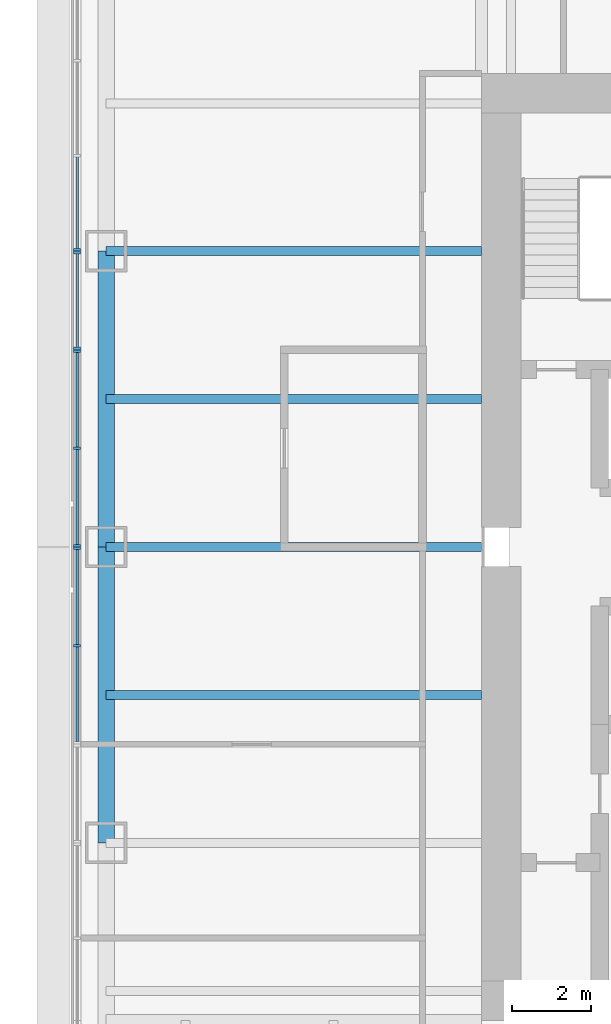
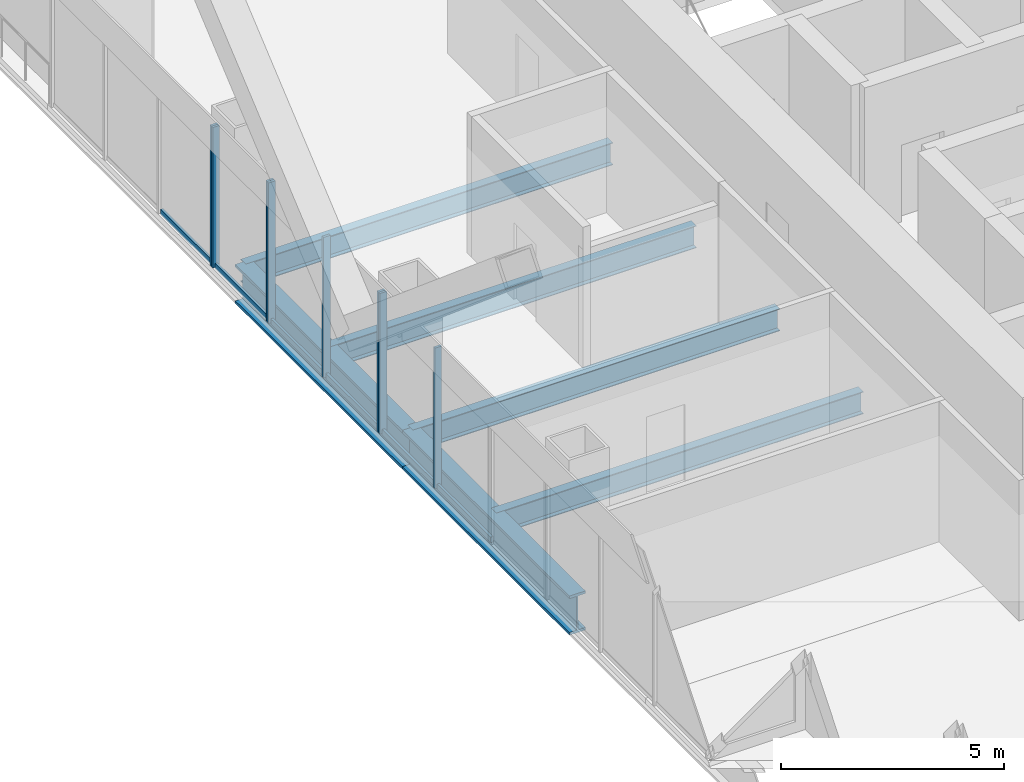
# One storey, part 5 of 19: 14 members, 6 beams, 4 elements without a shape of their own.
"""IFC4 building model written with IfcOpenShell, lengths in metres."""

from ifc_helpers import new_model, si_unit, direction, frame, origin, origin_2d, place, context, subcontext, project, spatial, rectangle, i_section, extrude, material, material_profile, profile_set, type_object, element, aggregate, save


model = new_model("IFC4")

# Units and contexts
model_context = context("Model", 3, precision=1e-05, world=origin(), true_north=direction((0.0, 1.0)))
body_context = subcontext(model_context, "Body", "Model", "MODEL_VIEW")
ifc_project = project(units=[si_unit("LENGTHUNIT", "METRE"), si_unit("AREAUNIT", "SQUARE_METRE"), si_unit("VOLUMEUNIT", "CUBIC_METRE"), si_unit("PLANEANGLEUNIT", "RADIAN"), si_unit("MASSUNIT", "GRAM", prefix="KILO")], contexts=[model_context])

# Site, building, storey
site_placement = place(None, origin())
site = spatial("IfcSite", under=ifc_project, at=site_placement, CompositionType="ELEMENT")
building_placement = place(site_placement, origin())
building = spatial("IfcBuilding", under=site, at=building_placement, Name="Tarangal Relay Tower", CompositionType="ELEMENT")
storey_placement = place(building_placement, frame((0.0, 0.0, 193.89990234375)))
storey = spatial("IfcBuildingStorey", under=building, at=storey_placement, Name="L40", CompositionType="ELEMENT", Elevation=193.89990234375)

# Beams
ifc_material_1 = material(Name="Steel ASTM A992", Category="steel")
ifc_material_profile_1 = material_profile(ifc_material_1, i_section(OverallWidth=0.41650390625, OverallDepth=1.0693359375, WebThickness=0.0390625, FlangeThickness=0.070068359375, at=origin_2d()), Name="W40X503")
ifc_profile_set_1 = profile_set([ifc_material_profile_1], Name="Steel ASTM A992")
beam_type_1 = type_object("IfcBeamType", Name="Edge girder W40X503", PredefinedType="SPANDREL", material=ifc_profile_set_1)
for number, where, z_axis, x_axis, name in (
    (1, (-21.514892578125, -7.5, -0.6845703125), (0.0, 1.0, 0.0), (-1.0, 0.0, 0.0), "Edge girder EG8 W L40"),
    (2, (-21.514892578125, 0.0, -0.6845703125), (0.0, 1.0, 0.0), (-1.0, 0.0, 0.0), "Edge girder EG8 W L40"),
):
    element("IfcBeam", number, at=place(storey_placement, frame(where, z_axis=z_axis, x_axis=x_axis)), inside=storey, type_object=beam_type_1, Name=name, PredefinedType="SPANDREL", context=body_context, shape_type="SweptSolid", body=[
        extrude(i_section(OverallWidth=0.41650390625, OverallDepth=1.0693359375, WebThickness=0.0390625, FlangeThickness=0.070068359375, at=origin_2d()), origin(), (0.0, 0.0, 1.0), 7.5),
    ])
ifc_material_profile_2 = material_profile(ifc_material_1, i_section(OverallWidth=0.22900390625, OverallDepth=0.612060546875, WebThickness=0.011962890625, FlangeThickness=0.01953125, at=origin_2d()), Name="W24X84")
ifc_profile_set_2 = profile_set([ifc_material_profile_2], Name="Steel ASTM A992")
beam_type_2 = type_object("IfcBeamType", Name="Floor beam W24X84", PredefinedType="BEAM", material=ifc_profile_set_2)
for number, where, z_axis, x_axis, name in (
    (3, (-12.0, -3.75, -0.455810546875), (-1.0, 0.0, 0.0), (0.0, -1.0, 0.0), "Floor beam RB12 W L40"),
    (4, (-12.0, 0.0, -0.455810546875), (-1.0, 0.0, 0.0), (0.0, -1.0, 0.0), "Floor beam RB12 W L40"),
    (5, (-12.0, 3.75, -0.455810546875), (-1.0, 0.0, 0.0), (0.0, -1.0, 0.0), "Floor beam RB12 W L40"),
    (6, (-12.0, 7.5, -0.455810546875), (-1.0, 0.0, 0.0), (0.0, -1.0, 0.0), "Floor beam RB12 W L40"),
):
    element("IfcBeam", number, at=place(storey_placement, frame(where, z_axis=z_axis, x_axis=x_axis)), inside=storey, type_object=beam_type_2, Name=name, PredefinedType="BEAM", context=body_context, shape_type="SweptSolid", body=[
        extrude(i_section(OverallWidth=0.22900390625, OverallDepth=0.612060546875, WebThickness=0.011962890625, FlangeThickness=0.01953125, at=origin_2d()), origin(), (0.0, 0.0, 1.0), 9.514892578125),
    ])

# Curtain wall, members
ifc_material_2 = material(Name="Unitised curtain wall, dark glass and black aluminium", Category="aluminium")
curtain_wall_type_1 = type_object("IfcCurtainWallType", Name="Curtain wall CW-A", PredefinedType="USERDEFINED", material=ifc_material_2)
curtain_wall_1_placement = place(storey_placement, origin())
curtain_wall_1 = element("IfcCurtainWall", 7, at=curtain_wall_1_placement, inside=storey, type_object=curtain_wall_type_1, Name="Curtain wall CW-A W facade L40", ObjectType="UNITISED CURTAIN WALL", PredefinedType="USERDEFINED")
ifc_material_3 = material(Name="Black anodised aluminium mullion", Category="aluminium")
ifc_material_profile_3 = material_profile(ifc_material_3, rectangle(XDim=0.175048828125, YDim=0.06494140625, at=origin_2d()), Name="CW-AM 65X175")
ifc_profile_set_3 = profile_set([ifc_material_profile_3], Name="Black anodised aluminium mullion")
member_type_1 = type_object("IfcMemberType", Name="Mullion CW-A 65 x 175", PredefinedType="MULLION", material=ifc_profile_set_3)
member_1_placement = place(storey_placement, frame((-22.25, 5.032470703125, 0.0), z_axis=(0.0, 0.0, 1.0), x_axis=(-1.0, 0.0, 0.0)))
member_1 = element("IfcMember", 8, at=member_1_placement, type_object=member_type_1, Name="CW-A mullion 1", PredefinedType="MULLION", context=body_context, shape_type="SweptSolid", body=[
    extrude(rectangle(XDim=0.175048828125, YDim=0.06494140625, at=origin_2d()), origin(), (0.0, 0.0, 1.0), 3.85009765625),
])
member_2_placement = place(storey_placement, frame((-22.25, 7.467529296875, 0.0), z_axis=(0.0, 0.0, 1.0), x_axis=(-1.0, 0.0, 0.0)))
member_2 = element("IfcMember", 9, at=member_2_placement, type_object=member_type_1, Name="CW-A mullion 2", PredefinedType="MULLION", context=body_context, shape_type="SweptSolid", body=[
    extrude(rectangle(XDim=0.175048828125, YDim=0.06494140625, at=origin_2d()), origin(), (0.0, 0.0, 1.0), 3.85009765625),
])

# Curtain wall, member
curtain_wall_2_placement = place(storey_placement, origin())
curtain_wall_2 = element("IfcCurtainWall", 10, at=curtain_wall_2_placement, inside=storey, type_object=curtain_wall_type_1, Name="Curtain wall CW-A W facade L40", ObjectType="UNITISED CURTAIN WALL", PredefinedType="USERDEFINED")
member_3_placement = place(storey_placement, frame((-22.25, 7.532470703125, 0.0), z_axis=(0.0, 0.0, 1.0), x_axis=(-1.0, 0.0, 0.0)))
member_3 = element("IfcMember", 11, at=member_3_placement, type_object=member_type_1, Name="CW-A mullion 1", PredefinedType="MULLION", context=body_context, shape_type="SweptSolid", body=[
    extrude(rectangle(XDim=0.175048828125, YDim=0.06494140625, at=origin_2d()), origin(), (0.0, 0.0, 1.0), 3.85009765625),
])

# Curtain wall, members
ifc_material_4 = material(Name="Unitised curtain wall frame, black aluminium, with metal clad infill walls", Category="aluminium")
curtain_wall_type_2 = type_object("IfcCurtainWallType", Name="Curtain wall CW-AO", PredefinedType="USERDEFINED", material=ifc_material_4)
curtain_wall_3_placement = place(storey_placement, origin())
curtain_wall_3 = element("IfcCurtainWall", 12, at=curtain_wall_3_placement, inside=storey, type_object=curtain_wall_type_2, Name="Curtain wall CW-AO W facade L40", ObjectType="UNITISED CURTAIN WALL", PredefinedType="USERDEFINED")
ifc_material_profile_4 = material_profile(ifc_material_3, rectangle(XDim=0.175048828125, YDim=0.06494140625, at=origin_2d()), Name="CW-AOM 65X175")
ifc_profile_set_4 = profile_set([ifc_material_profile_4], Name="Black anodised aluminium mullion")
member_type_2 = type_object("IfcMemberType", Name="Mullion CW-AO 65 x 175", PredefinedType="MULLION", material=ifc_profile_set_4)
member_4_placement = place(storey_placement, frame((-22.25, -2.5, 0.0), z_axis=(0.0, 0.0, 1.0), x_axis=(-1.0, 0.0, 0.0)))
member_4 = element("IfcMember", 13, at=member_4_placement, type_object=member_type_2, Name="CW-AO mullion 2", PredefinedType="MULLION", context=body_context, shape_type="SweptSolid", body=[
    extrude(rectangle(XDim=0.175048828125, YDim=0.06494140625, at=origin_2d()), origin(), (0.0, 0.0, 1.0), 3.85009765625),
])
member_5_placement = place(storey_placement, frame((-22.25, -0.032470703125, 0.0), z_axis=(0.0, 0.0, 1.0), x_axis=(-1.0, 0.0, 0.0)))
member_5 = element("IfcMember", 14, at=member_5_placement, type_object=member_type_2, Name="CW-AO mullion 3", PredefinedType="MULLION", context=body_context, shape_type="SweptSolid", body=[
    extrude(rectangle(XDim=0.175048828125, YDim=0.06494140625, at=origin_2d()), origin(), (0.0, 0.0, 1.0), 3.85009765625),
])

curtain_wall_4_placement = place(storey_placement, origin())
curtain_wall_4 = element("IfcCurtainWall", 15, at=curtain_wall_4_placement, inside=storey, type_object=curtain_wall_type_2, Name="Curtain wall CW-AO W facade L40", ObjectType="UNITISED CURTAIN WALL", PredefinedType="USERDEFINED")
member_6_placement = place(storey_placement, frame((-22.25, 0.032470703125, 0.0), z_axis=(0.0, 0.0, 1.0), x_axis=(-1.0, 0.0, 0.0)))
member_6 = element("IfcMember", 16, at=member_6_placement, type_object=member_type_2, Name="CW-AO mullion 1", PredefinedType="MULLION", context=body_context, shape_type="SweptSolid", body=[
    extrude(rectangle(XDim=0.175048828125, YDim=0.06494140625, at=origin_2d()), origin(), (0.0, 0.0, 1.0), 3.85009765625),
])
member_7_placement = place(storey_placement, frame((-22.25, 2.5, 0.0), z_axis=(0.0, 0.0, 1.0), x_axis=(-1.0, 0.0, 0.0)))
member_7 = element("IfcMember", 17, at=member_7_placement, type_object=member_type_2, Name="CW-AO mullion 2", PredefinedType="MULLION", context=body_context, shape_type="SweptSolid", body=[
    extrude(rectangle(XDim=0.175048828125, YDim=0.06494140625, at=origin_2d()), origin(), (0.0, 0.0, 1.0), 3.85009765625),
])
member_8_placement = place(storey_placement, frame((-22.25, 4.967529296875, 0.0), z_axis=(0.0, 0.0, 1.0), x_axis=(-1.0, 0.0, 0.0)))
member_8 = element("IfcMember", 18, at=member_8_placement, type_object=member_type_2, Name="CW-AO mullion 3", PredefinedType="MULLION", context=body_context, shape_type="SweptSolid", body=[
    extrude(rectangle(XDim=0.175048828125, YDim=0.06494140625, at=origin_2d()), origin(), (0.0, 0.0, 1.0), 3.85009765625),
])

# Member
ifc_material_5 = material(Name="Black anodised aluminium transom", Category="aluminium")
ifc_material_profile_5 = material_profile(ifc_material_5, rectangle(XDim=0.06494140625, YDim=0.14990234375, at=origin_2d()), Name="CW-AT 65X150")
ifc_profile_set_5 = profile_set([ifc_material_profile_5], Name="Black anodised aluminium transom")
member_type_3 = type_object("IfcMemberType", Name="Transom CW-A 65 x 150", PredefinedType="USERDEFINED", material=ifc_profile_set_5)
member_9_placement = place(storey_placement, frame((-22.25, 5.06494140625, 0.03271484375), z_axis=(0.0, 1.0, 0.0), x_axis=(-1.0, 0.0, 0.0)))
member_9 = element("IfcMember", 19, at=member_9_placement, type_object=member_type_3, Name="CW-A transom 1.1", ObjectType="TRANSOM", PredefinedType="USERDEFINED", context=body_context, shape_type="SweptSolid", body=[
    extrude(rectangle(XDim=0.06494140625, YDim=0.14990234375, at=origin_2d()), origin(), (0.0, 0.0, 1.0), 2.3701171875),
])

aggregate(curtain_wall_1, [member_1, member_2, member_9])

member_10_placement = place(storey_placement, frame((-22.25, 7.56494140625, 0.03271484375), z_axis=(0.0, 1.0, 0.0), x_axis=(-1.0, 0.0, 0.0)))
member_10 = element("IfcMember", 20, at=member_10_placement, type_object=member_type_3, Name="CW-A transom 1.1", ObjectType="TRANSOM", PredefinedType="USERDEFINED", context=body_context, shape_type="SweptSolid", body=[
    extrude(rectangle(XDim=0.06494140625, YDim=0.14990234375, at=origin_2d()), origin(), (0.0, 0.0, 1.0), 2.3193359375),
])

aggregate(curtain_wall_2, [member_3, member_10])

ifc_material_profile_6 = material_profile(ifc_material_5, rectangle(XDim=0.06494140625, YDim=0.14990234375, at=origin_2d()), Name="CW-AOT 65X150")
ifc_profile_set_6 = profile_set([ifc_material_profile_6], Name="Black anodised aluminium transom")
member_type_4 = type_object("IfcMemberType", Name="Transom CW-AO 65 x 150", PredefinedType="USERDEFINED", material=ifc_profile_set_6)
member_11_placement = place(storey_placement, frame((-22.25, -4.93505859375, 0.03271484375), z_axis=(0.0, 1.0, 0.0), x_axis=(-1.0, 0.0, 0.0)))
member_11 = element("IfcMember", 21, at=member_11_placement, type_object=member_type_4, Name="CW-AO transom 1.1", ObjectType="TRANSOM", PredefinedType="USERDEFINED", context=body_context, shape_type="SweptSolid", body=[
    extrude(rectangle(XDim=0.06494140625, YDim=0.14990234375, at=origin_2d()), origin(), (0.0, 0.0, 1.0), 2.402587890625),
])

member_12_placement = place(storey_placement, frame((-22.25, -2.467529296875, 0.03271484375), z_axis=(0.0, 1.0, 0.0), x_axis=(-1.0, 0.0, 0.0)))
member_12 = element("IfcMember", 22, at=member_12_placement, type_object=member_type_4, Name="CW-AO transom 2.1", ObjectType="TRANSOM", PredefinedType="USERDEFINED", context=body_context, shape_type="SweptSolid", body=[
    extrude(rectangle(XDim=0.06494140625, YDim=0.14990234375, at=origin_2d()), origin(), (0.0, 0.0, 1.0), 2.402587890625),
])

aggregate(curtain_wall_3, [member_4, member_5, member_11, member_12])

member_13_placement = place(storey_placement, frame((-22.25, 0.06494140625, 0.03271484375), z_axis=(0.0, 1.0, 0.0), x_axis=(-1.0, 0.0, 0.0)))
member_13 = element("IfcMember", 23, at=member_13_placement, type_object=member_type_4, Name="CW-AO transom 1.1", ObjectType="TRANSOM", PredefinedType="USERDEFINED", context=body_context, shape_type="SweptSolid", body=[
    extrude(rectangle(XDim=0.06494140625, YDim=0.14990234375, at=origin_2d()), origin(), (0.0, 0.0, 1.0), 2.402587890625),
])

member_14_placement = place(storey_placement, frame((-22.25, 2.532470703125, 0.03271484375), z_axis=(0.0, 1.0, 0.0), x_axis=(-1.0, 0.0, 0.0)))
member_14 = element("IfcMember", 24, at=member_14_placement, type_object=member_type_4, Name="CW-AO transom 2.1", ObjectType="TRANSOM", PredefinedType="USERDEFINED", context=body_context, shape_type="SweptSolid", body=[
    extrude(rectangle(XDim=0.06494140625, YDim=0.14990234375, at=origin_2d()), origin(), (0.0, 0.0, 1.0), 2.402587890625),
])

aggregate(curtain_wall_4, [member_6, member_7, member_8, member_13, member_14])

save(model, "model.ifc")
